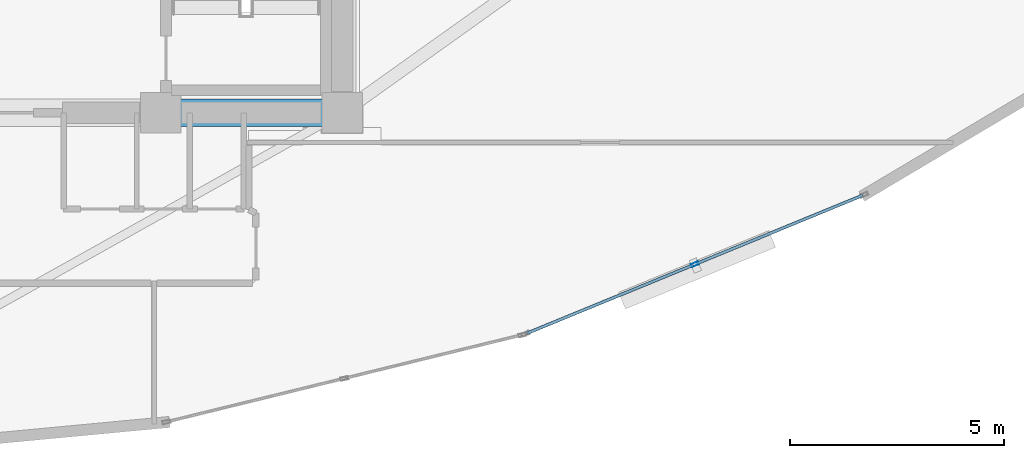
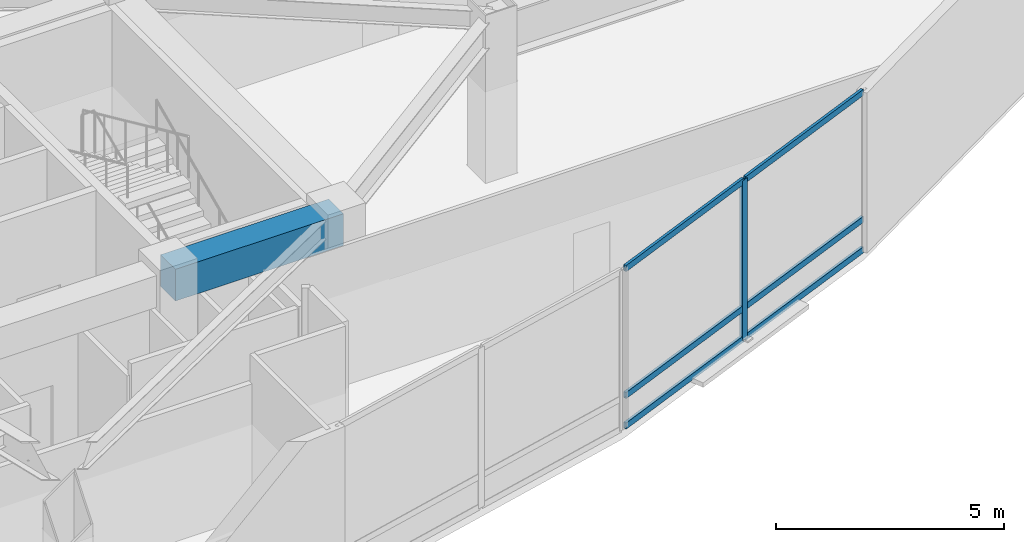
# One storey, part 6 of 17: 7 members, 1 beam, 1 element without a shape of its own.
"""IFC4 building model written with IfcOpenShell, lengths in metres."""

from ifc_helpers import new_model, si_unit, direction, frame, origin, origin_2d, place, context, subcontext, project, spatial, rectangle, hollow_rectangle, extrude, material, layer, layer_set, material_profile, profile_set, type_object, element, aggregate, save


model = new_model("IFC4")

# Units and contexts
model_context = context("Model", 3, precision=1e-05, world=origin(), true_north=direction((0.0, 1.0)))
body_context = subcontext(model_context, "Body", "Model", "MODEL_VIEW")
ifc_project = project(units=[si_unit("LENGTHUNIT", "METRE"), si_unit("AREAUNIT", "SQUARE_METRE"), si_unit("VOLUMEUNIT", "CUBIC_METRE"), si_unit("PLANEANGLEUNIT", "RADIAN"), si_unit("MASSUNIT", "GRAM", prefix="KILO")], contexts=[model_context])

# Site, building, storey
site_placement = place(None, origin())
site = spatial("IfcSite", under=ifc_project, at=site_placement, CompositionType="ELEMENT")
building_placement = place(site_placement, origin())
building = spatial("IfcBuilding", under=site, at=building_placement, Name="Menara Vayukalpa", CompositionType="ELEMENT")
storey_placement = place(building_placement, frame((0.0, 0.0, 242.639892578125)))
storey = spatial("IfcBuildingStorey", under=building, at=storey_placement, Name="L61", CompositionType="ELEMENT", Elevation=242.639892578125)

# Beam
ifc_material_1 = material(Name="Concrete C60/75", Category="concrete")
ifc_material_profile_1 = material_profile(ifc_material_1, rectangle(XDim=0.64990234375, YDim=0.85009765625, at=origin_2d()), Name="RC 650x850")
ifc_profile_set_1 = profile_set([ifc_material_profile_1], Name="Concrete C60/75")
beam_type = type_object("IfcBeamType", Name="BM-CB1", PredefinedType="BEAM", material=ifc_profile_set_1)
beam_placement = place(storey_placement, frame((29.14990234375, 17.199951171875, 3.855224609375), z_axis=(1.0, 0.0, 0.0), x_axis=(0.0, 1.0, 0.0)))
element("IfcBeam", 1, at=beam_placement, inside=storey, type_object=beam_type, Name="L61 Core Tie Beam CBR3", PredefinedType="BEAM", context=body_context, shape_type="SweptSolid", body=[
    extrude(rectangle(XDim=0.64990234375, YDim=0.85009765625, at=origin_2d()), origin(), (0.0, 0.0, 1.0), 4.25),
])

# Curtain wall, members
ifc_material_2 = material(Name="Anodised Terracotta Aluminium Alloy 6063-T6", Category="masonry")
ifc_layer = layer(ifc_material_2, 0.179931640625)
ifc_layer_set = layer_set([ifc_layer], Name="Anodised Terracotta Aluminium Alloy 6063-T6")
curtain_wall_type = type_object("IfcCurtainWallType", Name="CW-CW4", PredefinedType="USERDEFINED", material=ifc_layer_set)
curtain_wall_placement = place(storey_placement, origin())
curtain_wall = element("IfcCurtainWall", 2, at=curtain_wall_placement, inside=storey, type_object=curtain_wall_type, Name="L61 Sky Bar Cantilever Glazed Curtain Wall CW4 17", ObjectType="UNITISED", PredefinedType="USERDEFINED")
ifc_material_3 = material(Name="Anodised Terracotta Aluminium Alloy 6063-T6", Category="masonry")
ifc_material_profile_2 = material_profile(ifc_material_3, hollow_rectangle(XDim=0.074951171875, YDim=0.179931640625, WallThickness=0.00390625, at=origin_2d()), Name="ALU 75x180x4")
ifc_profile_set_2 = profile_set([ifc_material_profile_2], Name="Anodised Terracotta Aluminium Alloy 6063-T6")
member_type_1 = type_object("IfcMemberType", Name="CWM-CW4", PredefinedType="MULLION", material=ifc_profile_set_2)
member_1_placement = place(storey_placement, frame((41.658203125, 13.65234375, 0.0), z_axis=(0.0, 0.0, 1.0), x_axis=(-0.380039448491, 0.924970279301, 0.0)))
member_1 = element("IfcMember", 3, at=member_1_placement, type_object=member_type_1, Name="CW4 mullion 2", PredefinedType="MULLION", context=body_context, shape_type="SweptSolid", body=[
    extrude(hollow_rectangle(XDim=0.074951171875, YDim=0.179931640625, WallThickness=0.00390625, at=origin_2d()), origin(), (0.0, 0.0, 1.0), 4.280029296875),
])
ifc_material_4 = material(Name="Anodised Terracotta Aluminium Alloy 6063-T6", Category="masonry")
ifc_material_profile_3 = material_profile(ifc_material_4, hollow_rectangle(XDim=0.070068359375, YDim=0.1650390625, WallThickness=0.00390625, at=origin_2d()), Name="ALU 70x165x4")
ifc_profile_set_3 = profile_set([ifc_material_profile_3], Name="Anodised Terracotta Aluminium Alloy 6063-T6")
member_type_2 = type_object("IfcMemberType", Name="CWT-CW4", PredefinedType="USERDEFINED", material=ifc_profile_set_3)
member_2_placement = place(storey_placement, frame((37.725341796875, 12.03662109375, 0.03515625), z_axis=(0.924976550219, 0.380024185473, 0.0), x_axis=(-0.380024185473, 0.924976550219, 0.0)))
member_2 = element("IfcMember", 4, at=member_2_placement, type_object=member_type_2, Name="CW4 transom 1.1", ObjectType="TRANSOM", PredefinedType="USERDEFINED", context=body_context, shape_type="SweptSolid", body=[
    extrude(hollow_rectangle(XDim=0.070068359375, YDim=0.1650390625, WallThickness=0.00390625, at=origin_2d()), origin(), (0.0, 0.0, 1.0), 4.21435546875),
])
member_3_placement = place(storey_placement, frame((37.725341796875, 12.03662109375, 0.85009765625), z_axis=(0.924976550219, 0.380024185473, 0.0), x_axis=(-0.380024185473, 0.924976550219, 0.0)))
member_3 = element("IfcMember", 5, at=member_3_placement, type_object=member_type_2, Name="CW4 transom 1.2", ObjectType="TRANSOM", PredefinedType="USERDEFINED", context=body_context, shape_type="SweptSolid", body=[
    extrude(hollow_rectangle(XDim=0.070068359375, YDim=0.1650390625, WallThickness=0.00390625, at=origin_2d()), origin(), (0.0, 0.0, 1.0), 4.21435546875),
])
member_4_placement = place(storey_placement, frame((37.725341796875, 12.03662109375, 4.2451171875), z_axis=(0.924976550219, 0.380024185473, 0.0), x_axis=(-0.380024185473, 0.924976550219, 0.0)))
member_4 = element("IfcMember", 6, at=member_4_placement, type_object=member_type_2, Name="CW4 transom 1.3", ObjectType="TRANSOM", PredefinedType="USERDEFINED", context=body_context, shape_type="SweptSolid", body=[
    extrude(hollow_rectangle(XDim=0.070068359375, YDim=0.1650390625, WallThickness=0.00390625, at=origin_2d()), origin(), (0.0, 0.0, 1.0), 4.21435546875),
])
member_5_placement = place(storey_placement, frame((41.69287109375, 13.66650390625, 0.03515625), z_axis=(0.924947817082, 0.380094114235, 0.0), x_axis=(-0.380094114235, 0.924947817082, 0.0)))
member_5 = element("IfcMember", 7, at=member_5_placement, type_object=member_type_2, Name="CW4 transom 2.1", ObjectType="TRANSOM", PredefinedType="USERDEFINED", context=body_context, shape_type="SweptSolid", body=[
    extrude(hollow_rectangle(XDim=0.070068359375, YDim=0.1650390625, WallThickness=0.00390625, at=origin_2d()), origin(), (0.0, 0.0, 1.0), 4.21435546875),
])
member_6_placement = place(storey_placement, frame((41.69287109375, 13.66650390625, 0.85009765625), z_axis=(0.924947817082, 0.380094114235, 0.0), x_axis=(-0.380094114235, 0.924947817082, 0.0)))
member_6 = element("IfcMember", 8, at=member_6_placement, type_object=member_type_2, Name="CW4 transom 2.2", ObjectType="TRANSOM", PredefinedType="USERDEFINED", context=body_context, shape_type="SweptSolid", body=[
    extrude(hollow_rectangle(XDim=0.070068359375, YDim=0.1650390625, WallThickness=0.00390625, at=origin_2d()), origin(), (0.0, 0.0, 1.0), 4.21435546875),
])
member_7_placement = place(storey_placement, frame((41.69287109375, 13.66650390625, 4.2451171875), z_axis=(0.924947817082, 0.380094114235, 0.0), x_axis=(-0.380094114235, 0.924947817082, 0.0)))
member_7 = element("IfcMember", 9, at=member_7_placement, type_object=member_type_2, Name="CW4 transom 2.3", ObjectType="TRANSOM", PredefinedType="USERDEFINED", context=body_context, shape_type="SweptSolid", body=[
    extrude(hollow_rectangle(XDim=0.070068359375, YDim=0.1650390625, WallThickness=0.00390625, at=origin_2d()), origin(), (0.0, 0.0, 1.0), 4.21435546875),
])
aggregate(curtain_wall, [member_1, member_2, member_3, member_4, member_5, member_6, member_7])

save(model, "model.ifc")
